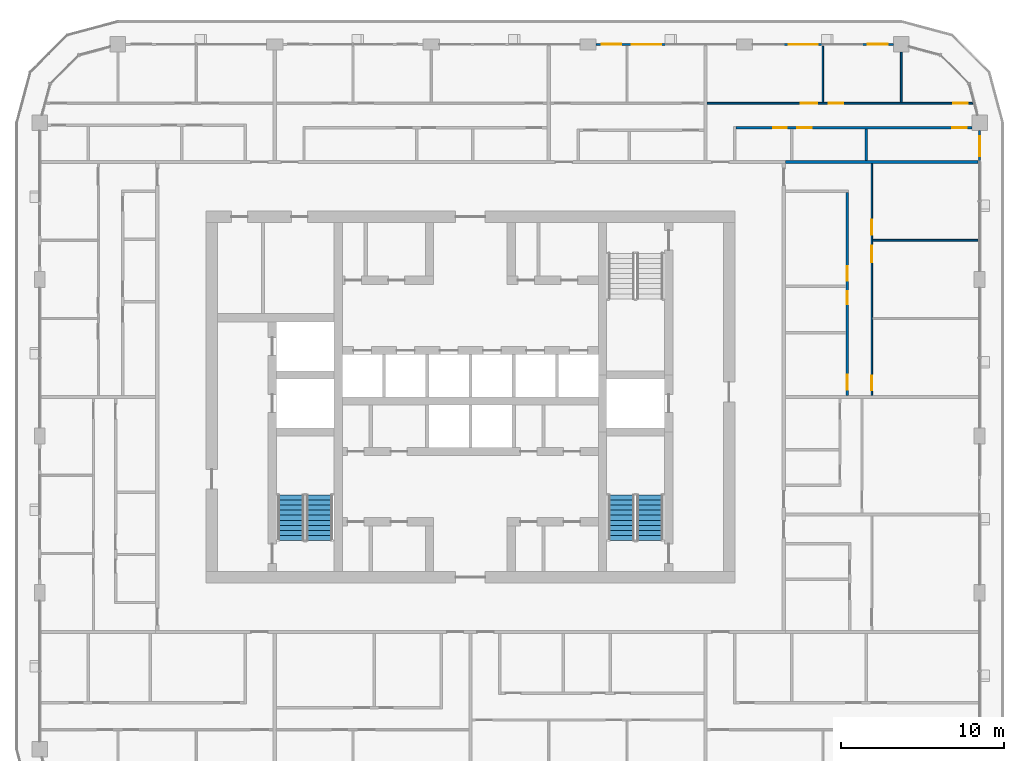
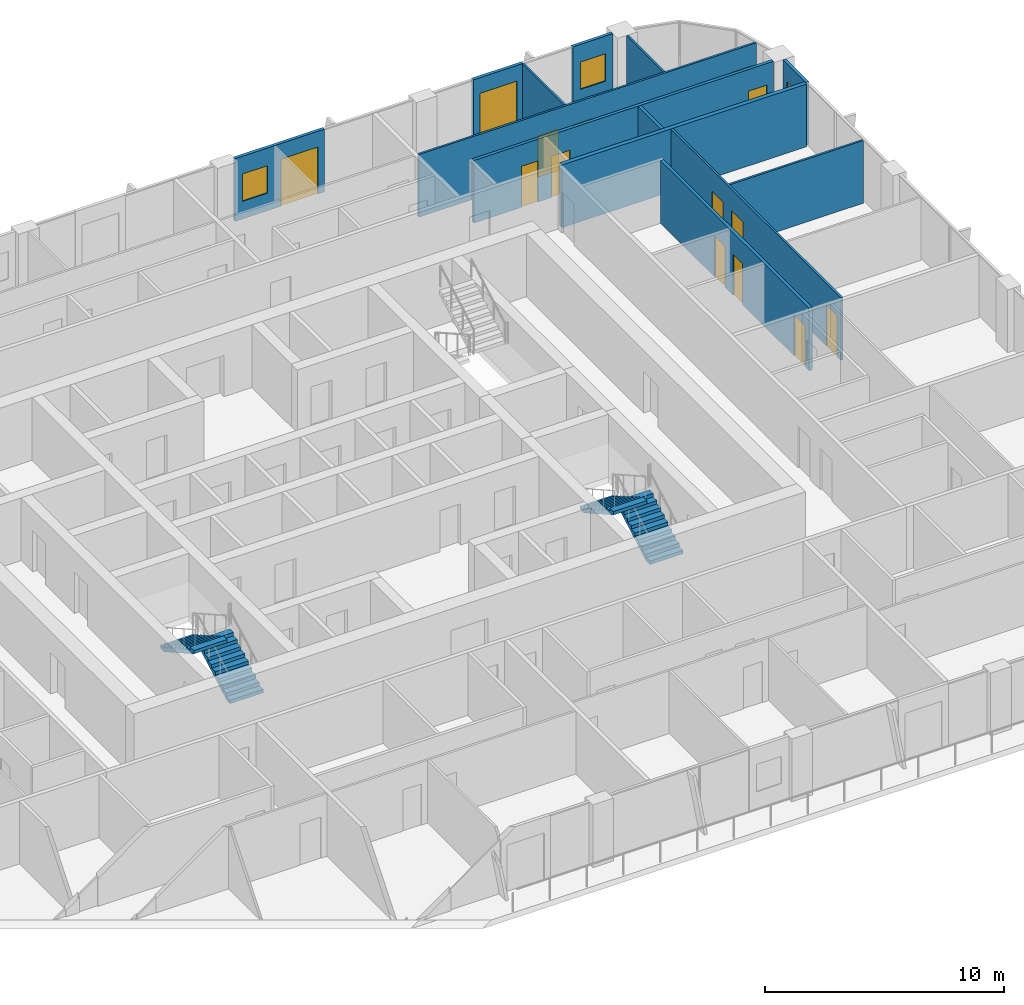
# One storey, part 15 of 22: 14 doors, 13 walls, 4 stair flights, 3 windows, 17 openings, 2 elements without a shape of their own.
"""IFC4 building model written with IfcOpenShell, lengths in metres."""

from ifc_helpers import new_model, si_unit, direction, frame, frame_2d, origin, place, context, subcontext, project, spatial, polyline, rectangle, outline, extrude, material, layer, layer_set, type_object, element, fill, aggregate, save


model = new_model("IFC4")

# Units and contexts
model_context = context("Model", 3, precision=1e-05, world=origin(), true_north=direction((0.0, 1.0)))
body_context = subcontext(model_context, "Body", "Model", "MODEL_VIEW")
ifc_project = project(units=[si_unit("LENGTHUNIT", "METRE"), si_unit("AREAUNIT", "SQUARE_METRE"), si_unit("VOLUMEUNIT", "CUBIC_METRE"), si_unit("PLANEANGLEUNIT", "RADIAN"), si_unit("MASSUNIT", "GRAM", prefix="KILO")], contexts=[model_context])

# Site, building, storey
site_placement = place(None, origin())
site = spatial("IfcSite", under=ifc_project, at=site_placement, CompositionType="ELEMENT")
building_placement = place(site_placement, origin())
building = spatial("IfcBuilding", under=site, at=building_placement, Name="Madar Terraces", CompositionType="ELEMENT")
storey_placement = place(building_placement, frame((0.0, 0.0, 189.39990234375)))
storey = spatial("IfcBuildingStorey", under=building, at=storey_placement, Name="L49", CompositionType="ELEMENT", Elevation=189.39990234375)

# Wall, opening, window
ifc_material_1 = material(Name="Aluminium composite panel, black, over insulated backing", Category="aluminium")
ifc_layer_1 = layer(ifc_material_1, 0.14990234375)
ifc_layer_set_1 = layer_set([ifc_layer_1], Name="Facade bay panel 150")
wall_type_1 = type_object("IfcWallType", Name="Facade bay panel 150", PredefinedType="SOLIDWALL", material=ifc_layer_set_1)
wall_1_placement = place(storey_placement, frame((62.39990234375, 40.800048828125, 0.0), z_axis=(0.0, 0.0, 1.0), x_axis=(0.0, 1.0, 0.0)))
wall_1 = element("IfcWall", 1, at=wall_1_placement, inside=storey, type_object=wall_type_1, Name="Facade bay panel", PredefinedType="SOLIDWALL", context=body_context, shape_type="SweptSolid", body=[
    extrude(rectangle(XDim=1.925048828125, YDim=0.14990234375, at=frame_2d((0.96240234375, 0.0))), origin(), (0.0, 0.0, 1.0), 3.2001953125),
])
opening_1_placement = place(wall_1_placement, frame((0.362548828125, 0.0, 0.89990234375)))
opening_1 = element("IfcOpeningElement", 2, at=opening_1_placement, cuts=wall_1, Name="Opening W1", PredefinedType="OPENING", context=body_context, shape_type="SweptSolid", body=[
    extrude(rectangle(XDim=1.199951171875, YDim=1.39990234375, at=frame_2d((0.60009765625, 0.699951171875))), frame((0.0, 0.0849609375, 0.0), z_axis=(0.0, -1.0, 0.0), x_axis=(1.0, 0.0, 0.0)), (0.0, 0.0, 1.0), 0.169921875),
])
ifc_material_2 = material(Name="Glass, clear, with black aluminium frame", Category="aluminium")
window_type = type_object("IfcWindowType", Name="Vent window 1200 x 1400", PartitioningType="SINGLE_PANEL", PredefinedType="WINDOW", material=ifc_material_2)
window_1_placement = place(opening_1_placement, origin())
window_1 = element("IfcWindow", 3, at=window_1_placement, inside=storey, type_object=window_type, Name="Operable vent window", OverallHeight=1.39990234375, OverallWidth=1.199951171875, PartitioningType="SINGLE_PANEL", PredefinedType="WINDOW", context=body_context, shape_type="SweptSolid", body=[
    extrude(rectangle(XDim=1.199951171875, YDim=1.39990234375, at=frame_2d((0.60009765625, 0.699951171875))), frame((0.0, 0.030029296875, 0.0), z_axis=(0.0, -1.0, 0.0), x_axis=(1.0, 0.0, 0.0)), (0.0, 0.0, 1.0), 0.06005859375),
])
fill(opening_1, window_1)

wall_2_placement = place(storey_placement, frame((57.125, 48.0, 0.0), z_axis=(0.0, 0.0, 1.0), x_axis=(-1.0, 0.0, 0.0)))
wall_2 = element("IfcWall", 4, at=wall_2_placement, inside=storey, type_object=wall_type_1, Name="Facade bay panel", PredefinedType="SOLIDWALL", context=body_context, shape_type="SweptSolid", body=[
    extrude(rectangle(XDim=1.925048828125, YDim=0.14990234375, at=frame_2d((0.96240234375, 0.0))), origin(), (0.0, 0.0, 1.0), 3.2001953125),
])
opening_2_placement = place(wall_2_placement, frame((0.362548828125, 0.0, 0.89990234375)))
opening_2 = element("IfcOpeningElement", 5, at=opening_2_placement, cuts=wall_2, Name="Opening W1", PredefinedType="OPENING", context=body_context, shape_type="SweptSolid", body=[
    extrude(rectangle(XDim=1.199951171875, YDim=1.39990234375, at=frame_2d((0.60009765625, 0.699951171875))), frame((0.0, 0.0849609375, 0.0), z_axis=(0.0, -1.0, 0.0), x_axis=(1.0, 0.0, 0.0)), (0.0, 0.0, 1.0), 0.169921875),
])
window_2_placement = place(opening_2_placement, origin())
window_2 = element("IfcWindow", 6, at=window_2_placement, inside=storey, type_object=window_type, Name="Operable vent window", OverallHeight=1.39990234375, OverallWidth=1.199951171875, PartitioningType="SINGLE_PANEL", PredefinedType="WINDOW", context=body_context, shape_type="SweptSolid", body=[
    extrude(rectangle(XDim=1.199951171875, YDim=1.39990234375, at=frame_2d((0.60009765625, 0.699951171875))), frame((0.0, 0.030029296875, 0.0), z_axis=(0.0, -1.0, 0.0), x_axis=(1.0, 0.0, 0.0)), (0.0, 0.0, 1.0), 0.06005859375),
])
fill(opening_2, window_2)

# Wall, opening, door
wall_3_placement = place(storey_placement, frame((52.800048828125, 48.0, 0.0), z_axis=(0.0, 0.0, 1.0), x_axis=(-1.0, 0.0, 0.0)))
wall_3 = element("IfcWall", 7, at=wall_3_placement, inside=storey, type_object=wall_type_1, Name="Facade bay panel", PredefinedType="SOLIDWALL", context=body_context, shape_type="SweptSolid", body=[
    extrude(rectangle(XDim=2.400146484375, YDim=0.14990234375, at=frame_2d((1.2001953125, 0.0))), origin(), (0.0, 0.0, 1.0), 3.2001953125),
])
opening_3_placement = place(wall_3_placement, frame((0.300048828125, 0.0, 0.0)))
opening_3 = element("IfcOpeningElement", 8, at=opening_3_placement, cuts=wall_3, Name="Opening ED1", PredefinedType="OPENING", context=body_context, shape_type="SweptSolid", body=[
    extrude(rectangle(XDim=1.800048828125, YDim=2.39990234375, at=frame_2d((0.89990234375, 1.199951171875))), frame((0.0, 0.0849609375, 0.0), z_axis=(0.0, -1.0, 0.0), x_axis=(1.0, 0.0, 0.0)), (0.0, 0.0, 1.0), 0.169921875),
])
ifc_material_3 = material(Name="Glass, clear, with black aluminium frame", Category="aluminium")
door_type_1 = type_object("IfcDoorType", Name="Balcony and terrace sliding door 1800 x 2400", OperationType="SLIDING_TO_LEFT", PredefinedType="DOOR", material=ifc_material_3)
door_1_placement = place(opening_3_placement, origin())
door_1 = element("IfcDoor", 9, at=door_1_placement, inside=storey, type_object=door_type_1, Name="Balcony door", OperationType="SLIDING_TO_LEFT", OverallHeight=2.39990234375, OverallWidth=1.800048828125, PredefinedType="DOOR", context=body_context, shape_type="SweptSolid", body=[
    extrude(rectangle(XDim=1.800048828125, YDim=2.39990234375, at=frame_2d((0.89990234375, 1.199951171875))), frame((0.0, 0.02490234375, 0.0), z_axis=(0.0, -1.0, 0.0), x_axis=(1.0, 0.0, 0.0)), (0.0, 0.0, 1.0), 0.050048828125),
])
fill(opening_3, door_1)

# Wall, openings, door, window
wall_4_placement = place(storey_placement, frame((43.199951171875, 48.0, 0.0), z_axis=(0.0, 0.0, 1.0), x_axis=(-1.0, 0.0, 0.0)))
wall_4 = element("IfcWall", 10, at=wall_4_placement, inside=storey, type_object=wall_type_1, Name="Facade bay panel", PredefinedType="SOLIDWALL", context=body_context, shape_type="SweptSolid", body=[
    extrude(rectangle(XDim=4.300048828125, YDim=0.14990234375, at=frame_2d((2.14990234375, 0.0))), origin(), (0.0, 0.0, 1.0), 3.2001953125),
])
opening_4_placement = place(wall_4_placement, frame((0.300048828125, 0.0, 0.0)))
opening_4 = element("IfcOpeningElement", 11, at=opening_4_placement, cuts=wall_4, Name="Opening ED1", PredefinedType="OPENING", context=body_context, shape_type="SweptSolid", body=[
    extrude(rectangle(XDim=1.800048828125, YDim=2.39990234375, at=frame_2d((0.89990234375, 1.199951171875))), frame((0.0, 0.0849609375, 0.0), z_axis=(0.0, -1.0, 0.0), x_axis=(1.0, 0.0, 0.0)), (0.0, 0.0, 1.0), 0.169921875),
])
opening_5_placement = place(wall_4_placement, frame((2.75, 0.0, 0.89990234375)))
opening_5 = element("IfcOpeningElement", 12, at=opening_5_placement, cuts=wall_4, Name="Opening W1", PredefinedType="OPENING", context=body_context, shape_type="SweptSolid", body=[
    extrude(rectangle(XDim=1.199951171875, YDim=1.39990234375, at=frame_2d((0.60009765625, 0.699951171875))), frame((0.0, 0.0849609375, 0.0), z_axis=(0.0, -1.0, 0.0), x_axis=(1.0, 0.0, 0.0)), (0.0, 0.0, 1.0), 0.169921875),
])
door_2_placement = place(opening_4_placement, origin())
door_2 = element("IfcDoor", 13, at=door_2_placement, inside=storey, type_object=door_type_1, Name="Balcony door", OperationType="SLIDING_TO_RIGHT", OverallHeight=2.39990234375, OverallWidth=1.800048828125, PredefinedType="DOOR", context=body_context, shape_type="SweptSolid", body=[
    extrude(rectangle(XDim=1.800048828125, YDim=2.39990234375, at=frame_2d((0.89990234375, 1.199951171875))), frame((0.0, 0.02490234375, 0.0), z_axis=(0.0, -1.0, 0.0), x_axis=(1.0, 0.0, 0.0)), (0.0, 0.0, 1.0), 0.050048828125),
])
fill(opening_4, door_2)
window_3_placement = place(opening_5_placement, origin())
window_3 = element("IfcWindow", 14, at=window_3_placement, inside=storey, type_object=window_type, Name="Operable vent window", OverallHeight=1.39990234375, OverallWidth=1.199951171875, PartitioningType="SINGLE_PANEL", PredefinedType="WINDOW", context=body_context, shape_type="SweptSolid", body=[
    extrude(rectangle(XDim=1.199951171875, YDim=1.39990234375, at=frame_2d((0.60009765625, 0.699951171875))), frame((0.0, 0.030029296875, 0.0), z_axis=(0.0, -1.0, 0.0), x_axis=(1.0, 0.0, 0.0)), (0.0, 0.0, 1.0), 0.06005859375),
])
fill(opening_5, window_3)

# Wall
ifc_material_4 = material(Name="Gypsum board on steel studs", Category="steel")
ifc_layer_2 = layer(ifc_material_4, 0.10009765625)
ifc_layer_set_2 = layer_set([ifc_layer_2], Name="Flat partition 100")
wall_type_2 = type_object("IfcWallType", Name="Flat partition 100", PredefinedType="PARTITIONING", material=ifc_layer_set_2)
wall_5_placement = place(storey_placement, frame((55.85009765625, 36.0, 0.0), z_axis=(0.0, 0.0, 1.0), x_axis=(1.0, 0.0, 0.0)))
element("IfcWall", 15, at=wall_5_placement, inside=storey, type_object=wall_type_2, Name="Flat partition 100", PredefinedType="PARTITIONING", context=body_context, shape_type="SweptSolid", body=[
    extrude(rectangle(XDim=6.449951171875, YDim=0.10009765625, at=frame_2d((3.22509765625, 0.0))), origin(), (0.0, 0.0, 1.0), 3.2001953125),
])

# Wall, openings, doors
wall_6_placement = place(storey_placement, frame((55.800048828125, 40.699951171875, 0.0), z_axis=(0.0, 0.0, 1.0), x_axis=(0.0, -1.0, 0.0)))
wall_6 = element("IfcWall", 16, at=wall_6_placement, inside=storey, type_object=wall_type_2, Name="Flat partition 100", PredefinedType="PARTITIONING", context=body_context, shape_type="SweptSolid", body=[
    extrude(rectangle(XDim=14.199951171875, YDim=0.10009765625, at=frame_2d((7.10009765625, 0.0))), origin(), (0.0, 0.0, 1.0), 3.2001953125),
])
opening_6_placement = place(wall_6_placement, frame((3.449951171875, 0.0, 0.0)))
opening_6 = element("IfcOpeningElement", 17, at=opening_6_placement, cuts=wall_6, Name="Opening D2", PredefinedType="OPENING", context=body_context, shape_type="SweptSolid", body=[
    extrude(rectangle(XDim=0.89990234375, YDim=2.10009765625, at=frame_2d((0.449951171875, 1.050048828125))), frame((0.0, 0.06005859375, 0.0), z_axis=(0.0, -1.0, 0.0), x_axis=(1.0, 0.0, 0.0)), (0.0, 0.0, 1.0), 0.1201171875),
])
opening_7_placement = place(wall_6_placement, frame((5.050048828125, 0.0, 0.0)))
opening_7 = element("IfcOpeningElement", 18, at=opening_7_placement, cuts=wall_6, Name="Opening D3", PredefinedType="OPENING", context=body_context, shape_type="SweptSolid", body=[
    extrude(rectangle(XDim=1.0, YDim=2.10009765625, at=frame_2d((0.5, 1.050048828125))), frame((0.0, 0.06005859375, 0.0), z_axis=(0.0, -1.0, 0.0), x_axis=(1.0, 0.0, 0.0)), (0.0, 0.0, 1.0), 0.1201171875),
])
opening_8_placement = place(wall_6_placement, frame((13.0, 0.0, 0.0)))
opening_8 = element("IfcOpeningElement", 19, at=opening_8_placement, cuts=wall_6, Name="Opening D2", PredefinedType="OPENING", context=body_context, shape_type="SweptSolid", body=[
    extrude(rectangle(XDim=0.89990234375, YDim=2.10009765625, at=frame_2d((0.449951171875, 1.050048828125))), frame((0.0, 0.06005859375, 0.0), z_axis=(0.0, -1.0, 0.0), x_axis=(1.0, 0.0, 0.0)), (0.0, 0.0, 1.0), 0.1201171875),
])
ifc_material_5 = material(Name="Timber door leaf", Category="wood")
door_type_2 = type_object("IfcDoorType", Name="Flat living room door 1000", OperationType="NOTDEFINED", PredefinedType="DOOR", material=ifc_material_5)
door_3_placement = place(opening_7_placement, origin())
door_3 = element("IfcDoor", 20, at=door_3_placement, inside=storey, type_object=door_type_2, Name="Flat living room door 1000", OperationType="SINGLE_SWING_LEFT", OverallHeight=2.10009765625, OverallWidth=1.0, PredefinedType="DOOR", context=body_context, shape_type="SweptSolid", body=[
    extrude(rectangle(XDim=1.0, YDim=2.10009765625, at=frame_2d((0.5, 1.050048828125))), frame((0.0, 0.02490234375, 0.0), z_axis=(0.0, -1.0, 0.0), x_axis=(1.0, 0.0, 0.0)), (0.0, 0.0, 1.0), 0.050048828125),
])
fill(opening_7, door_3)
ifc_material_6 = material(Name="Timber door leaf", Category="wood")
door_type_3 = type_object("IfcDoorType", Name="Flat room door 900", OperationType="NOTDEFINED", PredefinedType="DOOR", material=ifc_material_6)
door_4_placement = place(opening_6_placement, origin())
door_4 = element("IfcDoor", 21, at=door_4_placement, inside=storey, type_object=door_type_3, Name="Flat room door 900", OperationType="SINGLE_SWING_RIGHT", OverallHeight=2.10009765625, OverallWidth=0.89990234375, PredefinedType="DOOR", context=body_context, shape_type="SweptSolid", body=[
    extrude(rectangle(XDim=0.89990234375, YDim=2.10009765625, at=frame_2d((0.449951171875, 1.050048828125))), frame((0.0, 0.02490234375, 0.0), z_axis=(0.0, -1.0, 0.0), x_axis=(1.0, 0.0, 0.0)), (0.0, 0.0, 1.0), 0.050048828125),
])
fill(opening_6, door_4)
door_5_placement = place(opening_8_placement, origin())
door_5 = element("IfcDoor", 22, at=door_5_placement, inside=storey, type_object=door_type_3, Name="Flat room door 900", OperationType="SINGLE_SWING_RIGHT", OverallHeight=2.10009765625, OverallWidth=0.89990234375, PredefinedType="DOOR", context=body_context, shape_type="SweptSolid", body=[
    extrude(rectangle(XDim=0.89990234375, YDim=2.10009765625, at=frame_2d((0.449951171875, 1.050048828125))), frame((0.0, 0.02490234375, 0.0), z_axis=(0.0, -1.0, 0.0), x_axis=(1.0, 0.0, 0.0)), (0.0, 0.0, 1.0), 0.050048828125),
])
fill(opening_8, door_5)

# Walls
wall_7_placement = place(storey_placement, frame((52.800048828125, 44.449951171875, 0.0), z_axis=(0.0, 0.0, 1.0), x_axis=(0.0, 1.0, 0.0)))
element("IfcWall", 23, at=wall_7_placement, inside=storey, type_object=wall_type_2, Name="Flat partition 100", PredefinedType="PARTITIONING", context=body_context, shape_type="SweptSolid", body=[
    extrude(rectangle(XDim=3.449951171875, YDim=0.10009765625, at=frame_2d((1.72509765625, 0.0))), origin(), (0.0, 0.0, 1.0), 3.2001953125),
])
wall_8_placement = place(storey_placement, frame((57.60009765625, 44.449951171875, 0.0), z_axis=(0.0, 0.0, 1.0), x_axis=(0.0, 1.0, 0.0)))
element("IfcWall", 24, at=wall_8_placement, inside=storey, type_object=wall_type_2, Name="Flat partition 100", PredefinedType="PARTITIONING", context=body_context, shape_type="SweptSolid", body=[
    extrude(rectangle(XDim=3.074951171875, YDim=0.10009765625, at=frame_2d((1.53759765625, 0.0))), origin(), (0.0, 0.0, 1.0), 3.2001953125),
])

# Wall, openings, doors
wall_9_placement = place(storey_placement, frame((45.699951171875, 44.39990234375, 0.0), z_axis=(0.0, 0.0, 1.0), x_axis=(1.0, 0.0, 0.0)))
wall_9 = element("IfcWall", 25, at=wall_9_placement, inside=storey, type_object=wall_type_2, Name="Flat partition 100", PredefinedType="PARTITIONING", context=body_context, shape_type="SweptSolid", body=[
    extrude(rectangle(XDim=16.278564453125, YDim=0.10009765625, at=frame_2d((8.13916015625, 0.0))), origin(), (0.0, 0.0, 1.0), 3.2001953125),
])
opening_9_placement = place(wall_9_placement, frame((5.75, 0.0, 0.0)))
opening_9 = element("IfcOpeningElement", 26, at=opening_9_placement, cuts=wall_9, Name="Opening D3", PredefinedType="OPENING", context=body_context, shape_type="SweptSolid", body=[
    extrude(rectangle(XDim=1.0, YDim=2.10009765625, at=frame_2d((0.5, 1.050048828125))), frame((0.0, 0.06005859375, 0.0), z_axis=(0.0, -1.0, 0.0), x_axis=(1.0, 0.0, 0.0)), (0.0, 0.0, 1.0), 0.1201171875),
])
opening_10_placement = place(wall_9_placement, frame((7.449951171875, 0.0, 0.0)))
opening_10 = element("IfcOpeningElement", 27, at=opening_10_placement, cuts=wall_9, Name="Opening D2", PredefinedType="OPENING", context=body_context, shape_type="SweptSolid", body=[
    extrude(rectangle(XDim=0.89990234375, YDim=2.10009765625, at=frame_2d((0.449951171875, 1.050048828125))), frame((0.0, 0.06005859375, 0.0), z_axis=(0.0, -1.0, 0.0), x_axis=(1.0, 0.0, 0.0)), (0.0, 0.0, 1.0), 0.1201171875),
])
opening_11_placement = place(wall_9_placement, frame((15.07861328125, 0.0, 0.0)))
opening_11 = element("IfcOpeningElement", 28, at=opening_11_placement, cuts=wall_9, Name="Opening D2", PredefinedType="OPENING", context=body_context, shape_type="SweptSolid", body=[
    extrude(rectangle(XDim=0.89990234375, YDim=2.10009765625, at=frame_2d((0.449951171875, 1.050048828125))), frame((0.0, 0.06005859375, 0.0), z_axis=(0.0, -1.0, 0.0), x_axis=(1.0, 0.0, 0.0)), (0.0, 0.0, 1.0), 0.1201171875),
])
door_6_placement = place(opening_9_placement, origin())
door_6 = element("IfcDoor", 29, at=door_6_placement, inside=storey, type_object=door_type_2, Name="Flat living room door 1000", OperationType="SINGLE_SWING_RIGHT", OverallHeight=2.10009765625, OverallWidth=1.0, PredefinedType="DOOR", context=body_context, shape_type="SweptSolid", body=[
    extrude(rectangle(XDim=1.0, YDim=2.10009765625, at=frame_2d((0.5, 1.050048828125))), frame((0.0, 0.02490234375, 0.0), z_axis=(0.0, -1.0, 0.0), x_axis=(1.0, 0.0, 0.0)), (0.0, 0.0, 1.0), 0.050048828125),
])
fill(opening_9, door_6)
door_7_placement = place(opening_10_placement, origin())
door_7 = element("IfcDoor", 30, at=door_7_placement, inside=storey, type_object=door_type_3, Name="Flat room door 900", OperationType="SINGLE_SWING_LEFT", OverallHeight=2.10009765625, OverallWidth=0.89990234375, PredefinedType="DOOR", context=body_context, shape_type="SweptSolid", body=[
    extrude(rectangle(XDim=0.89990234375, YDim=2.10009765625, at=frame_2d((0.449951171875, 1.050048828125))), frame((0.0, 0.02490234375, 0.0), z_axis=(0.0, -1.0, 0.0), x_axis=(1.0, 0.0, 0.0)), (0.0, 0.0, 1.0), 0.050048828125),
])
fill(opening_10, door_7)
door_8_placement = place(opening_11_placement, origin())
door_8 = element("IfcDoor", 31, at=door_8_placement, inside=storey, type_object=door_type_3, Name="Flat room door 900", OperationType="SINGLE_SWING_RIGHT", OverallHeight=2.10009765625, OverallWidth=0.89990234375, PredefinedType="DOOR", context=body_context, shape_type="SweptSolid", body=[
    extrude(rectangle(XDim=0.89990234375, YDim=2.10009765625, at=frame_2d((0.449951171875, 1.050048828125))), frame((0.0, 0.02490234375, 0.0), z_axis=(0.0, -1.0, 0.0), x_axis=(1.0, 0.0, 0.0)), (0.0, 0.0, 1.0), 0.050048828125),
])
fill(opening_11, door_8)

# Wall
ifc_material_7 = material(Name="Lightweight blockwork", Category="masonry")
ifc_layer_3 = layer(ifc_material_7, 0.199951171875)
ifc_layer_set_3 = layer_set([ifc_layer_3], Name="Flat party and entrance wall 200")
wall_type_3 = type_object("IfcWallType", Name="Flat party and entrance wall 200", PredefinedType="PARTITIONING", material=ifc_layer_set_3)
wall_10_placement = place(storey_placement, frame((50.5, 40.800048828125, 0.0), z_axis=(0.0, 0.0, 1.0), x_axis=(1.0, 0.0, 0.0)))
element("IfcWall", 32, at=wall_10_placement, inside=storey, type_object=wall_type_3, Name="Flat party and entrance wall 200", PredefinedType="PARTITIONING", context=body_context, shape_type="SweptSolid", body=[
    extrude(rectangle(XDim=11.800048828125, YDim=0.199951171875, at=frame_2d((5.89990234375, 0.0))), origin(), (0.0, 0.0, 1.0), 3.2001953125),
])

# Wall, openings, doors
ifc_material_8 = material(Name="Lightweight blockwork", Category="masonry")
ifc_layer_4 = layer(ifc_material_8, 0.14990234375)
ifc_layer_set_4 = layer_set([ifc_layer_4], Name="Flat wet-room partition 150")
wall_type_4 = type_object("IfcWallType", Name="Flat wet-room partition 150", PredefinedType="PARTITIONING", material=ifc_layer_set_4)
wall_11_placement = place(storey_placement, frame((54.300048828125, 26.5, 0.0), z_axis=(0.0, 0.0, 1.0), x_axis=(0.0, 1.0, 0.0)))
wall_11 = element("IfcWall", 33, at=wall_11_placement, inside=storey, type_object=wall_type_4, Name="Flat wet-room partition 150", PredefinedType="PARTITIONING", context=body_context, shape_type="SweptSolid", body=[
    extrude(rectangle(XDim=12.425048828125, YDim=0.14990234375, at=frame_2d((6.21240234375, 0.0))), origin(), (0.0, 0.0, 1.0), 3.2001953125),
])
opening_12_placement = place(wall_11_placement, frame((7.015380859375, 0.0, 0.0)))
opening_12 = element("IfcOpeningElement", 34, at=opening_12_placement, cuts=wall_11, Name="Opening D2", PredefinedType="OPENING", context=body_context, shape_type="SweptSolid", body=[
    extrude(rectangle(XDim=0.89990234375, YDim=2.10009765625, at=frame_2d((0.449951171875, 1.050048828125))), frame((0.0, 0.0849609375, 0.0), z_axis=(0.0, -1.0, 0.0), x_axis=(1.0, 0.0, 0.0)), (0.0, 0.0, 1.0), 0.169921875),
])
opening_13_placement = place(wall_11_placement, frame((5.5654296875, 0.0, 0.0)))
opening_13 = element("IfcOpeningElement", 35, at=opening_13_placement, cuts=wall_11, Name="Opening D4", PredefinedType="OPENING", context=body_context, shape_type="SweptSolid", body=[
    extrude(rectangle(XDim=0.800048828125, YDim=2.10009765625, at=frame_2d((0.39990234375, 1.050048828125))), frame((0.0, 0.0849609375, 0.0), z_axis=(0.0, -1.0, 0.0), x_axis=(1.0, 0.0, 0.0)), (0.0, 0.0, 1.0), 0.169921875),
])
opening_14_placement = place(wall_11_placement, frame((0.35009765625, 0.0, 0.0)))
opening_14 = element("IfcOpeningElement", 36, at=opening_14_placement, cuts=wall_11, Name="Opening D5", PredefinedType="OPENING", context=body_context, shape_type="SweptSolid", body=[
    extrude(rectangle(XDim=0.89990234375, YDim=2.10009765625, at=frame_2d((0.449951171875, 1.050048828125))), frame((0.0, 0.0849609375, 0.0), z_axis=(0.0, -1.0, 0.0), x_axis=(1.0, 0.0, 0.0)), (0.0, 0.0, 1.0), 0.169921875),
])
ifc_material_9 = material(Name="Timber door leaf", Category="wood")
door_type_4 = type_object("IfcDoorType", Name="Flat accessible bathroom door 900", OperationType="NOTDEFINED", PredefinedType="DOOR", material=ifc_material_9)
door_9_placement = place(opening_14_placement, origin())
door_9 = element("IfcDoor", 37, at=door_9_placement, inside=storey, type_object=door_type_4, Name="Flat accessible bathroom door 900", OperationType="SINGLE_SWING_LEFT", OverallHeight=2.10009765625, OverallWidth=0.89990234375, PredefinedType="DOOR", context=body_context, shape_type="SweptSolid", body=[
    extrude(rectangle(XDim=0.89990234375, YDim=2.10009765625, at=frame_2d((0.449951171875, 1.050048828125))), frame((0.0, 0.02490234375, 0.0), z_axis=(0.0, -1.0, 0.0), x_axis=(1.0, 0.0, 0.0)), (0.0, 0.0, 1.0), 0.050048828125),
])
fill(opening_14, door_9)
ifc_material_10 = material(Name="Timber door leaf", Category="wood")
door_type_5 = type_object("IfcDoorType", Name="Flat bathroom door 800", OperationType="NOTDEFINED", PredefinedType="DOOR", material=ifc_material_10)
door_10_placement = place(opening_13_placement, origin())
door_10 = element("IfcDoor", 38, at=door_10_placement, inside=storey, type_object=door_type_5, Name="Flat bathroom door 800", OperationType="SINGLE_SWING_RIGHT", OverallHeight=2.10009765625, OverallWidth=0.800048828125, PredefinedType="DOOR", context=body_context, shape_type="SweptSolid", body=[
    extrude(rectangle(XDim=0.800048828125, YDim=2.10009765625, at=frame_2d((0.39990234375, 1.050048828125))), frame((0.0, 0.02490234375, 0.0), z_axis=(0.0, -1.0, 0.0), x_axis=(1.0, 0.0, 0.0)), (0.0, 0.0, 1.0), 0.050048828125),
])
fill(opening_13, door_10)
door_11_placement = place(opening_12_placement, origin())
door_11 = element("IfcDoor", 39, at=door_11_placement, inside=storey, type_object=door_type_3, Name="Flat room door 900", OperationType="SINGLE_SWING_LEFT", OverallHeight=2.10009765625, OverallWidth=0.89990234375, PredefinedType="DOOR", context=body_context, shape_type="SweptSolid", body=[
    extrude(rectangle(XDim=0.89990234375, YDim=2.10009765625, at=frame_2d((0.449951171875, 1.050048828125))), frame((0.0, 0.02490234375, 0.0), z_axis=(0.0, -1.0, 0.0), x_axis=(1.0, 0.0, 0.0)), (0.0, 0.0, 1.0), 0.050048828125),
])
fill(opening_12, door_11)

# Wall
wall_12_placement = place(storey_placement, frame((55.457763671875, 40.89990234375, 0.0), z_axis=(0.0, 0.0, 1.0), x_axis=(0.0, 1.0, 0.0)))
element("IfcWall", 40, at=wall_12_placement, inside=storey, type_object=wall_type_4, Name="Flat wet-room partition 150", PredefinedType="PARTITIONING", context=body_context, shape_type="SweptSolid", body=[
    extrude(rectangle(XDim=1.925048828125, YDim=0.14990234375, at=frame_2d((0.96240234375, 0.0))), origin(), (0.0, 0.0, 1.0), 3.2001953125),
])

# Wall, openings, doors
wall_13_placement = place(storey_placement, frame((61.925048828125, 42.89990234375, 0.0), z_axis=(0.0, 0.0, 1.0), x_axis=(-1.0, 0.0, 0.0)))
wall_13 = element("IfcWall", 41, at=wall_13_placement, inside=storey, type_object=wall_type_4, Name="Flat wet-room partition 150", PredefinedType="PARTITIONING", context=body_context, shape_type="SweptSolid", body=[
    extrude(rectangle(XDim=14.449951171875, YDim=0.14990234375, at=frame_2d((7.22509765625, 0.0))), origin(), (0.0, 0.0, 1.0), 3.2001953125),
])
opening_15_placement = place(wall_13_placement, frame((11.353759765625, 0.0, 0.0)))
opening_15 = element("IfcOpeningElement", 42, at=opening_15_placement, cuts=wall_13, Name="Opening D4", PredefinedType="OPENING", context=body_context, shape_type="SweptSolid", body=[
    extrude(rectangle(XDim=0.800048828125, YDim=2.10009765625, at=frame_2d((0.39990234375, 1.050048828125))), frame((0.0, 0.0849609375, 0.0), z_axis=(0.0, -1.0, 0.0), x_axis=(1.0, 0.0, 0.0)), (0.0, 0.0, 1.0), 0.169921875),
])
opening_16_placement = place(wall_13_placement, frame((9.8037109375, 0.0, 0.0)))
opening_16 = element("IfcOpeningElement", 43, at=opening_16_placement, cuts=wall_13, Name="Opening D5", PredefinedType="OPENING", context=body_context, shape_type="SweptSolid", body=[
    extrude(rectangle(XDim=0.89990234375, YDim=2.10009765625, at=frame_2d((0.449951171875, 1.050048828125))), frame((0.0, 0.0849609375, 0.0), z_axis=(0.0, -1.0, 0.0), x_axis=(1.0, 0.0, 0.0)), (0.0, 0.0, 1.0), 0.169921875),
])
opening_17_placement = place(wall_13_placement, frame((0.300048828125, 0.0, 0.0)))
opening_17 = element("IfcOpeningElement", 44, at=opening_17_placement, cuts=wall_13, Name="Opening D2", PredefinedType="OPENING", context=body_context, shape_type="SweptSolid", body=[
    extrude(rectangle(XDim=0.89990234375, YDim=2.10009765625, at=frame_2d((0.449951171875, 1.050048828125))), frame((0.0, 0.0849609375, 0.0), z_axis=(0.0, -1.0, 0.0), x_axis=(1.0, 0.0, 0.0)), (0.0, 0.0, 1.0), 0.169921875),
])
door_12_placement = place(opening_16_placement, origin())
door_12 = element("IfcDoor", 45, at=door_12_placement, inside=storey, type_object=door_type_4, Name="Flat accessible bathroom door 900", OperationType="SINGLE_SWING_RIGHT", OverallHeight=2.10009765625, OverallWidth=0.89990234375, PredefinedType="DOOR", context=body_context, shape_type="SweptSolid", body=[
    extrude(rectangle(XDim=0.89990234375, YDim=2.10009765625, at=frame_2d((0.449951171875, 1.050048828125))), frame((0.0, 0.02490234375, 0.0), z_axis=(0.0, -1.0, 0.0), x_axis=(1.0, 0.0, 0.0)), (0.0, 0.0, 1.0), 0.050048828125),
])
fill(opening_16, door_12)
door_13_placement = place(opening_15_placement, origin())
door_13 = element("IfcDoor", 46, at=door_13_placement, inside=storey, type_object=door_type_5, Name="Flat bathroom door 800", OperationType="SINGLE_SWING_LEFT", OverallHeight=2.10009765625, OverallWidth=0.800048828125, PredefinedType="DOOR", context=body_context, shape_type="SweptSolid", body=[
    extrude(rectangle(XDim=0.800048828125, YDim=2.10009765625, at=frame_2d((0.39990234375, 1.050048828125))), frame((0.0, 0.02490234375, 0.0), z_axis=(0.0, -1.0, 0.0), x_axis=(1.0, 0.0, 0.0)), (0.0, 0.0, 1.0), 0.050048828125),
])
fill(opening_15, door_13)
door_14_placement = place(opening_17_placement, origin())
door_14 = element("IfcDoor", 47, at=door_14_placement, inside=storey, type_object=door_type_3, Name="Flat room door 900", OperationType="SINGLE_SWING_LEFT", OverallHeight=2.10009765625, OverallWidth=0.89990234375, PredefinedType="DOOR", context=body_context, shape_type="SweptSolid", body=[
    extrude(rectangle(XDim=0.89990234375, YDim=2.10009765625, at=frame_2d((0.449951171875, 1.050048828125))), frame((0.0, 0.02490234375, 0.0), z_axis=(0.0, -1.0, 0.0), x_axis=(1.0, 0.0, 0.0)), (0.0, 0.0, 1.0), 0.050048828125),
])
fill(opening_17, door_14)

# Stair, stair flights
ifc_material_11 = material(Name="Concrete C50/60", Category="concrete")
stair_type_1 = type_object("IfcStairType", Name="Stair ST1 protected exit", PredefinedType="HALF_TURN_STAIR", material=ifc_material_11)
stair_1_placement = place(storey_placement, origin())
stair_1 = element("IfcStair", 48, at=stair_1_placement, inside=storey, type_object=stair_type_1, Name="L49 Protected Exit Stair ST1", PredefinedType="HALF_TURN_STAIR")
ifc_material_12 = material(Name="Concrete C50/60", Category="concrete")
stair_flight_type_1 = type_object("IfcStairFlightType", Name="Stair flight ST1-F4, 1600 wide, 10 risers", PredefinedType="STRAIGHT", material=ifc_material_12)
stair_flight_1_placement = place(storey_placement, frame((21.949951171875, 17.60009765625, 0.0), z_axis=(0.0, 0.0, 1.0), x_axis=(0.0, 1.0, 0.0)))
stair_flight_1 = element("IfcStairFlight", 49, at=stair_flight_1_placement, type_object=stair_flight_type_1, Name="ST1 flight 1", NumberOfRisers=10, NumberOfTreads=9, PredefinedType="STRAIGHT", RiserHeight=0.175, TreadLength=0.31, context=body_context, shape_type="SweptSolid", body=[
    extrude(outline(polyline([(0.0, 0.0), (0.0, 0.175048828125), (0.31005859375, 0.175048828125), (0.31005859375, 0.35009765625), (0.6201171875, 0.35009765625), (0.6201171875, 0.52490234375), (0.929931640625, 0.52490234375), (0.929931640625, 0.699951171875), (1.239990234375, 0.699951171875), (1.239990234375, 0.875), (1.550048828125, 0.875), (1.550048828125, 1.050048828125), (1.860107421875, 1.050048828125), (1.860107421875, 1.22509765625), (2.169921875, 1.22509765625), (2.169921875, 1.39990234375), (2.47998046875, 1.39990234375), (2.47998046875, 1.574951171875), (2.7900390625, 1.574951171875), (2.7900390625, 1.75), (2.7900390625, 1.40283203125), (0.304931640625, 0.0), (0.0, 0.0)])), frame((0.0, 0.800048828125, 0.0), z_axis=(0.0, -1.0, 0.0), x_axis=(1.0, 0.0, 0.0)), (0.0, 0.0, 1.0), 1.60009765625),
])
stair_flight_2_placement = place(storey_placement, frame((20.199951171875, 20.389892578125, 1.75), z_axis=(0.0, 0.0, 1.0), x_axis=(0.0, -1.0, 0.0)))
stair_flight_2 = element("IfcStairFlight", 50, at=stair_flight_2_placement, type_object=stair_flight_type_1, Name="ST1 flight 2", NumberOfRisers=10, NumberOfTreads=9, PredefinedType="STRAIGHT", RiserHeight=0.175, TreadLength=0.31, context=body_context, shape_type="SweptSolid", body=[
    extrude(outline(polyline([(0.0, 0.0), (0.0, 0.175048828125), (0.31005859375, 0.175048828125), (0.31005859375, 0.35009765625), (0.6201171875, 0.35009765625), (0.6201171875, 0.52490234375), (0.929931640625, 0.52490234375), (0.929931640625, 0.699951171875), (1.239990234375, 0.699951171875), (1.239990234375, 0.875), (1.550048828125, 0.875), (1.550048828125, 1.050048828125), (1.860107421875, 1.050048828125), (1.860107421875, 1.22509765625), (2.169921875, 1.22509765625), (2.169921875, 1.39990234375), (2.47998046875, 1.39990234375), (2.47998046875, 1.574951171875), (2.7900390625, 1.574951171875), (2.7900390625, 1.75), (2.7900390625, 1.40283203125), (0.304931640625, 0.0), (0.0, 0.0)])), frame((0.0, 0.800048828125, 0.0), z_axis=(0.0, -1.0, 0.0), x_axis=(1.0, 0.0, 0.0)), (0.0, 0.0, 1.0), 1.60009765625),
])
aggregate(stair_1, [stair_flight_1, stair_flight_2])

ifc_material_13 = material(Name="Concrete C50/60", Category="concrete")
stair_type_2 = type_object("IfcStairType", Name="Stair ST3 protected exit", PredefinedType="HALF_TURN_STAIR", material=ifc_material_13)
stair_2_placement = place(storey_placement, origin())
stair_2 = element("IfcStair", 51, at=stair_2_placement, inside=storey, type_object=stair_type_2, Name="L49 Protected Exit Stair ST3", PredefinedType="HALF_TURN_STAIR")
ifc_material_14 = material(Name="Concrete C50/60", Category="concrete")
stair_flight_type_2 = type_object("IfcStairFlightType", Name="Stair flight ST3-F4, 1600 wide, 10 risers", PredefinedType="STRAIGHT", material=ifc_material_14)
stair_flight_3_placement = place(storey_placement, frame((42.199951171875, 17.60009765625, 0.0), z_axis=(0.0, 0.0, 1.0), x_axis=(0.0, 1.0, 0.0)))
stair_flight_3 = element("IfcStairFlight", 52, at=stair_flight_3_placement, type_object=stair_flight_type_2, Name="ST3 flight 1", NumberOfRisers=10, NumberOfTreads=9, PredefinedType="STRAIGHT", RiserHeight=0.175, TreadLength=0.31, context=body_context, shape_type="SweptSolid", body=[
    extrude(outline(polyline([(0.0, 0.0), (0.0, 0.175048828125), (0.31005859375, 0.175048828125), (0.31005859375, 0.35009765625), (0.6201171875, 0.35009765625), (0.6201171875, 0.52490234375), (0.929931640625, 0.52490234375), (0.929931640625, 0.699951171875), (1.239990234375, 0.699951171875), (1.239990234375, 0.875), (1.550048828125, 0.875), (1.550048828125, 1.050048828125), (1.860107421875, 1.050048828125), (1.860107421875, 1.22509765625), (2.169921875, 1.22509765625), (2.169921875, 1.39990234375), (2.47998046875, 1.39990234375), (2.47998046875, 1.574951171875), (2.7900390625, 1.574951171875), (2.7900390625, 1.75), (2.7900390625, 1.40283203125), (0.304931640625, 0.0), (0.0, 0.0)])), frame((0.0, 0.800048828125, 0.0), z_axis=(0.0, -1.0, 0.0), x_axis=(1.0, 0.0, 0.0)), (0.0, 0.0, 1.0), 1.60009765625),
])
stair_flight_4_placement = place(storey_placement, frame((40.449951171875, 20.389892578125, 1.75), z_axis=(0.0, 0.0, 1.0), x_axis=(0.0, -1.0, 0.0)))
stair_flight_4 = element("IfcStairFlight", 53, at=stair_flight_4_placement, type_object=stair_flight_type_2, Name="ST3 flight 2", NumberOfRisers=10, NumberOfTreads=9, PredefinedType="STRAIGHT", RiserHeight=0.175, TreadLength=0.31, context=body_context, shape_type="SweptSolid", body=[
    extrude(outline(polyline([(0.0, 0.0), (0.0, 0.175048828125), (0.31005859375, 0.175048828125), (0.31005859375, 0.35009765625), (0.6201171875, 0.35009765625), (0.6201171875, 0.52490234375), (0.929931640625, 0.52490234375), (0.929931640625, 0.699951171875), (1.239990234375, 0.699951171875), (1.239990234375, 0.875), (1.550048828125, 0.875), (1.550048828125, 1.050048828125), (1.860107421875, 1.050048828125), (1.860107421875, 1.22509765625), (2.169921875, 1.22509765625), (2.169921875, 1.39990234375), (2.47998046875, 1.39990234375), (2.47998046875, 1.574951171875), (2.7900390625, 1.574951171875), (2.7900390625, 1.75), (2.7900390625, 1.40283203125), (0.304931640625, 0.0), (0.0, 0.0)])), frame((0.0, 0.800048828125, 0.0), z_axis=(0.0, -1.0, 0.0), x_axis=(1.0, 0.0, 0.0)), (0.0, 0.0, 1.0), 1.60009765625),
])
aggregate(stair_2, [stair_flight_3, stair_flight_4])

save(model, "model.ifc")
